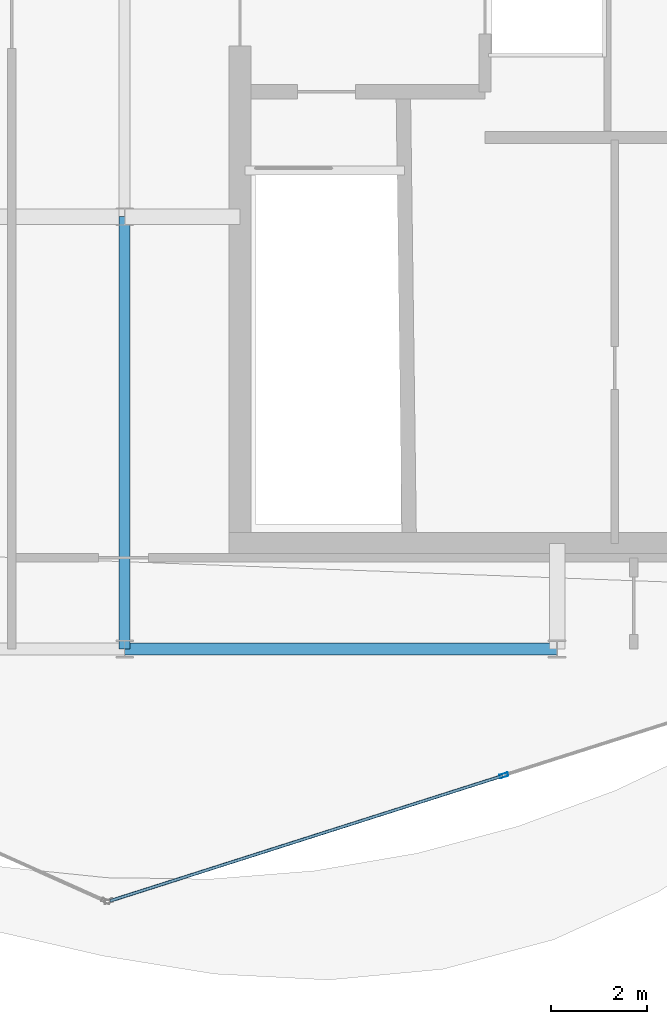
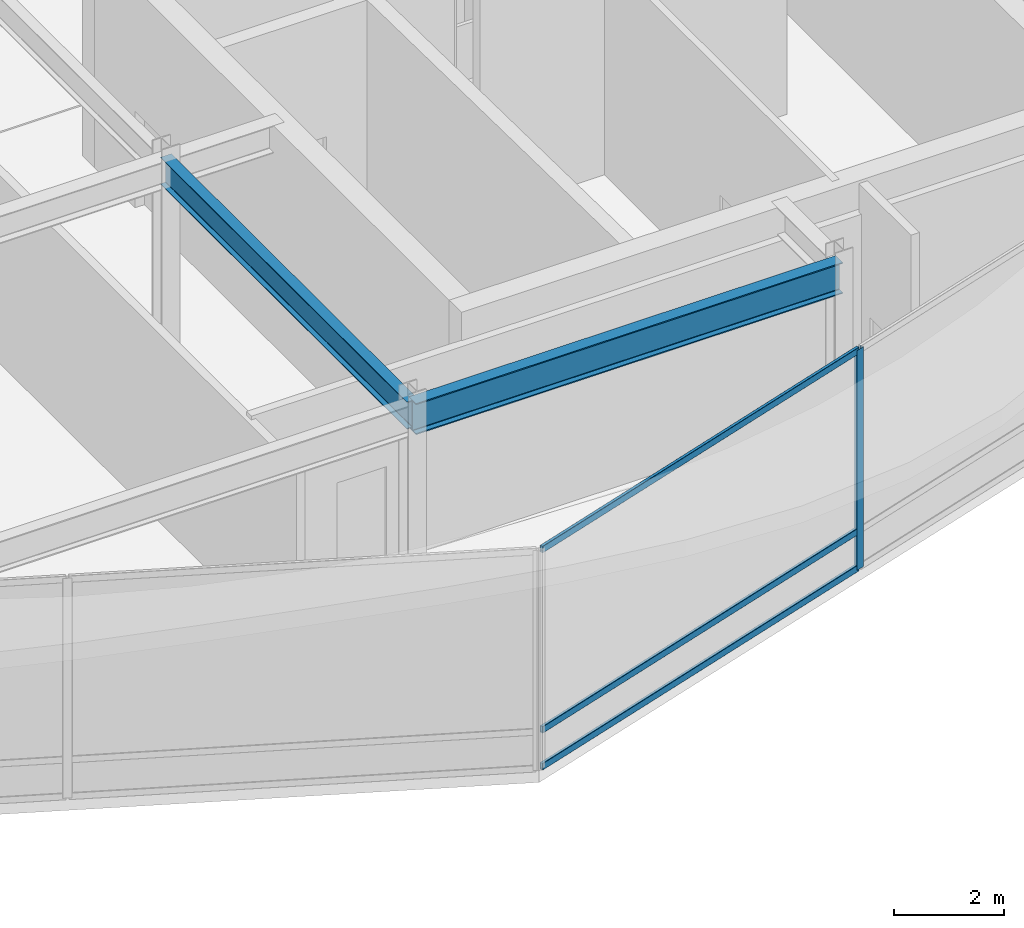
# One storey, part 4 of 19: 4 members, 2 beams, 1 element without a shape of its own.
"""IFC4 building model written with IfcOpenShell, lengths in metres."""

import ifcopenshell
import ifcopenshell.guid

model = None  # the IFC model being written
_history = None  # IfcOwnerHistory: only IFC2X3 demands one
_inside = {}  # id of a spatial element -> (the spatial element, [elements in it])
_under = {}  # id of a project, library or spatial element -> (it, [spatial elements below it])
_declared = {}  # id of a project -> (the project, [libraries it declares])
_typed = {}  # id of a type object -> (the type object, [elements of that type])
_made_of = {}  # id of a material, layer set ... -> (it, [elements and type objects made of it])


def new_model(schema):
    """Start an empty IFC model of exactly this schema.

    Asked for "IFC4X3", IfcOpenShell would pick the latest addendum, in which some entities
    have other attributes; the version numbers below select the first issue.
    IFC2X3 requires an IfcOwnerHistory on every rooted entity: one is made here for all.
    """
    global model, _history
    if schema == "IFC4X3":
        model = ifcopenshell.file(schema_version=(4, 3, 0, 0))
    else:
        model = ifcopenshell.file(schema=schema)
    _inside.clear()
    _under.clear()
    _declared.clear()
    _typed.clear()
    _made_of.clear()
    _history = None
    if model.schema == "IFC2X3":
        org = make("IfcOrganization", Name="unknown")
        user = make(
            "IfcPersonAndOrganization",
            ThePerson=make("IfcPerson", FamilyName="unknown"),
            TheOrganization=org,
        )
        app = make(
            "IfcApplication",
            ApplicationDeveloper=org,
            Version="unknown",
            ApplicationFullName="unknown",
            ApplicationIdentifier="unknown",
        )
        _history = make(
            "IfcOwnerHistory",
            OwningUser=user,
            OwningApplication=app,
            ChangeAction="ADDED",
            CreationDate=0,
        )
    return model


def make(cls, **values):
    """One entity of the class cls with the attributes given. An attribute that is None is left unset."""
    return model.create_entity(
        cls, **{name: value for name, value in values.items() if value is not None}
    )


def rooted(cls, **values):
    """An entity with a GlobalId (a new one), such as an element, a storey or a relation."""
    return make(cls, GlobalId=ifcopenshell.guid.new(), OwnerHistory=_history, **values)


def si_unit(unit_type, name, prefix=None):
    """IfcSIUnit, for example si_unit("LENGTHUNIT", "METRE", prefix="MILLI")."""
    return make("IfcSIUnit", UnitType=unit_type, Prefix=prefix, Name=name)


def assignment(units):
    """IfcUnitAssignment: the units of a project."""
    return None if units is None else make("IfcUnitAssignment", Units=units)


def point(xyz):
    """IfcCartesianPoint."""
    return None if xyz is None else make("IfcCartesianPoint", Coordinates=xyz)


def direction(xyz):
    """IfcDirection."""
    return None if xyz is None else make("IfcDirection", DirectionRatios=xyz)


def frame(location, z_axis=None, x_axis=None):
    """IfcAxis2Placement3D, a coordinate frame: its origin and axes. An axis left out is left unset."""
    return make(
        "IfcAxis2Placement3D",
        Location=point(location),
        Axis=direction(z_axis),
        RefDirection=direction(x_axis),
    )


def frame_2d(location, x_axis=None):
    """IfcAxis2Placement2D, a coordinate frame in the plane: its origin and x axis."""
    return make(
        "IfcAxis2Placement2D", Location=point(location), RefDirection=direction(x_axis)
    )


def origin():
    """The frame at (0, 0, 0) with its axes left unset."""
    return frame((0.0, 0.0, 0.0))


def origin_2d():
    """The frame at (0, 0) in the plane with its x axis left unset."""
    return frame_2d((0.0, 0.0))


def place(relative_to, where):
    """IfcLocalPlacement: puts the frame where relative to a parent placement (None: the world)."""
    return make(
        "IfcLocalPlacement", PlacementRelTo=relative_to, RelativePlacement=where
    )


def context(
    kind, dimensions, precision=None, world=None, true_north=None, identifier=None
):
    """IfcGeometricRepresentationContext, for example the 3D "Model" context."""
    return make(
        "IfcGeometricRepresentationContext",
        ContextIdentifier=identifier,
        ContextType=kind,
        CoordinateSpaceDimension=dimensions,
        Precision=precision,
        WorldCoordinateSystem=world,
        TrueNorth=true_north,
    )


def subcontext(parent, identifier, kind, view, scale=None):
    """IfcGeometricRepresentationSubContext, for example "Body" below "Model"."""
    return make(
        "IfcGeometricRepresentationSubContext",
        ContextIdentifier=identifier,
        ContextType=kind,
        ParentContext=parent,
        TargetScale=scale,
        TargetView=view,
    )


def project(units=None, contexts=None):
    """IfcProject with its units and contexts."""
    return rooted(
        "IfcProject",
        Name="project",
        RepresentationContexts=contexts,
        UnitsInContext=assignment(units),
    )


def spatial(cls, under=None, at=None, **own):
    """A site, building, storey or space (cls), placed at a placement, below another one or the project."""
    s = rooted(cls, ObjectPlacement=at, **own)
    if under is not None:
        _under.setdefault(under.id(), (under, []))[1].append(s)
    return s


def profile(cls, at=None, kind="AREA", **sizes):
    """A parametric profile (cls). Its sizes go by their IFC names, for example OverallWidth=200.0."""
    return make(cls, ProfileType=kind, Position=at, **sizes)


def hollow_rectangle(**sizes):
    """IfcRectangleHollowProfileDef."""
    return profile("IfcRectangleHollowProfileDef", **sizes)


def i_section(**sizes):
    """IfcIShapeProfileDef."""
    return profile("IfcIShapeProfileDef", **sizes)


def extrude(swept, where, along, depth):
    """IfcExtrudedAreaSolid: the profile swept, set in the frame where, extruded along a direction by depth."""
    return make(
        "IfcExtrudedAreaSolid",
        SweptArea=swept,
        Position=where,
        ExtrudedDirection=direction(along),
        Depth=depth,
    )


def shape(context_of_items, identifier, shape_type, items):
    """IfcShapeRepresentation: the items that make up one representation, for example the "Body"."""
    return make(
        "IfcShapeRepresentation",
        ContextOfItems=context_of_items,
        RepresentationIdentifier=identifier,
        RepresentationType=shape_type,
        Items=items,
    )


def material(Name=None, Category=None):
    """IfcMaterial."""
    return make("IfcMaterial", Name=Name, Category=Category)


def layer(
    of_material, thickness, ventilated=None, Name=None, Category=None, Priority=None
):
    """IfcMaterialLayer: one layer of a wall or slab, of a material (None: an air gap)."""
    return make(
        "IfcMaterialLayer",
        Material=of_material,
        LayerThickness=thickness,
        IsVentilated=ventilated,
        Name=Name,
        Category=Category,
        Priority=Priority,
    )


def layer_set(layers, Name=None):
    """IfcMaterialLayerSet."""
    return make("IfcMaterialLayerSet", MaterialLayers=layers, LayerSetName=Name)


def material_profile(
    of_material, cross_section, Name=None, Category=None, Priority=None
):
    """IfcMaterialProfile: a cross section and its material."""
    return make(
        "IfcMaterialProfile",
        Name=Name,
        Material=of_material,
        Profile=cross_section,
        Priority=Priority,
        Category=Category,
    )


def profile_set(profiles, Name=None, composite=None):
    """IfcMaterialProfileSet."""
    return make(
        "IfcMaterialProfileSet",
        Name=Name,
        MaterialProfiles=profiles,
        CompositeProfile=composite,
    )


def made_of(thing, what):
    """Note that an element or type object is made of a material, layer set ...; save() writes the relation."""
    if what is not None:
        _made_of.setdefault(what.id(), (what, []))[1].append(thing)
    return thing


def type_object(cls, material=None, **own):
    """A type object (cls), such as IfcWallType, which elements share."""
    return made_of(rooted(cls, **own), material)


def element(
    cls,
    number,
    at=None,
    inside=None,
    cuts=None,
    type_object=None,
    material=None,
    context=None,
    identifier="Body",
    shape_type=None,
    held_by="IfcProductDefinitionShape",
    body=None,
    shapes=None,
    **own,
):
    """One element of the class cls, such as IfcWall. Its Tag is "e" and its number.

    at: its placement. inside: the storey or other place that contains it. cuts: it is an
    opening in that element (IfcRelVoidsElement). A single representation is given by context,
    identifier, shape_type and body (its items); several are given by shapes. held_by: the class
    of the entity that holds the representations. save() writes the other relations.
    """
    e = rooted(cls, Tag="e%d" % number, ObjectPlacement=at, **own)
    if body is not None:
        shapes = [shape(context, identifier, shape_type, body)]
    if shapes is not None:
        e.Representation = make(held_by, Representations=shapes)
    if inside is not None:
        _inside.setdefault(inside.id(), (inside, []))[1].append(e)
    if cuts is not None:
        rooted(
            "IfcRelVoidsElement", RelatingBuildingElement=cuts, RelatedOpeningElement=e
        )
    if type_object is not None:
        _typed.setdefault(type_object.id(), (type_object, []))[1].append(e)
    return made_of(e, material)


def aggregate(whole, parts):
    """IfcRelAggregates: a whole, such as a stair, and the parts it consists of."""
    return rooted("IfcRelAggregates", RelatingObject=whole, RelatedObjects=parts)


def save(model, path):
    """Write the relations noted so far, then the file.

    IfcRelAggregates (storeys below a building ...), IfcRelContainedInSpatialStructure (elements
    in a storey), IfcRelDefinesByType, IfcRelAssociatesMaterial and IfcRelDeclares: one each for
    every whole, place, type object, material and project.
    """
    for whole, parts in _under.values():
        aggregate(whole, parts)
    for where, things in _inside.values():
        rooted(
            "IfcRelContainedInSpatialStructure",
            RelatedElements=things,
            RelatingStructure=where,
        )
    for kind, things in _typed.values():
        rooted("IfcRelDefinesByType", RelatedObjects=things, RelatingType=kind)
    for what, things in _made_of.values():
        rooted("IfcRelAssociatesMaterial", RelatedObjects=things, RelatingMaterial=what)
    for by, libraries in _declared.values():
        rooted("IfcRelDeclares", RelatingContext=by, RelatedDefinitions=libraries)
    model.write(path)


model = new_model("IFC4")

# Units and contexts
model_context = context("Model", 3, precision=1e-05, world=origin(), true_north=direction((0.0, 1.0)))
body_context = subcontext(model_context, "Body", "Model", "MODEL_VIEW")
ifc_project = project(units=[si_unit("LENGTHUNIT", "METRE"), si_unit("AREAUNIT", "SQUARE_METRE"), si_unit("VOLUMEUNIT", "CUBIC_METRE"), si_unit("PLANEANGLEUNIT", "RADIAN"), si_unit("MASSUNIT", "GRAM", prefix="KILO")], contexts=[model_context])

# Site, building, storey
site_placement = place(None, origin())
site = spatial("IfcSite", under=ifc_project, at=site_placement, CompositionType="ELEMENT")
building_placement = place(site_placement, origin())
building = spatial("IfcBuilding", under=site, at=building_placement, Name="Solvaryn Broadcast Tower", CompositionType="ELEMENT")
storey_placement = place(building_placement, frame((0.0, 0.0, 302.60009765625)))
storey = spatial("IfcBuildingStorey", under=building, at=storey_placement, Name="L76", CompositionType="ELEMENT", Elevation=302.60009765625)

# Beams
ifc_material_1 = material(Name="Steel ASTM A992 Grade 50", Category="steel")
ifc_material_profile_1 = material_profile(ifc_material_1, i_section(OverallWidth=0.22802734375, OverallDepth=0.60791015625, WebThickness=0.01123046875, FlangeThickness=0.017333984375, FilletRadius=0.014892578125, at=origin_2d()))
ifc_profile_set_1 = profile_set([ifc_material_profile_1], Name="Steel ASTM A992 Grade 50")
beam_type_1 = type_object("IfcBeamType", Name="BM-B2-W24X76", PredefinedType="BEAM", material=ifc_profile_set_1)
beam_1_placement = place(storey_placement, frame((27.0, 9.0, 4.595947265625), z_axis=(0.0, 1.0, 0.0), x_axis=(-1.0, 0.0, 0.0)))
element("IfcBeam", 1, at=beam_1_placement, inside=storey, type_object=beam_type_1, Name="L76 Primary Beam Y (9-18 @ X=27)", PredefinedType="BEAM", context=body_context, shape_type="SweptSolid", body=[
    extrude(i_section(OverallWidth=0.22802734375, OverallDepth=0.60791015625, WebThickness=0.01123046875, FlangeThickness=0.017333984375, FilletRadius=0.014892578125, at=origin_2d()), origin(), (0.0, 0.0, 1.0), 9.0),
])
ifc_material_2 = material(Name="Steel ASTM A992 Grade 50", Category="steel")
ifc_material_profile_2 = material_profile(ifc_material_2, i_section(OverallWidth=0.256103515625, OverallDepth=0.693115234375, WebThickness=0.014404296875, FlangeThickness=0.023681640625, FilletRadius=0.01611328125, at=origin_2d()))
ifc_profile_set_2 = profile_set([ifc_material_profile_2], Name="Steel ASTM A992 Grade 50")
beam_type_2 = type_object("IfcBeamType", Name="BM-SP3-W27X114", PredefinedType="USERDEFINED", material=ifc_profile_set_2)
beam_2_placement = place(storey_placement, frame((27.0, 9.0, 4.553466796875), z_axis=(1.0, 0.0, 0.0), x_axis=(0.0, 1.0, 0.0)))
element("IfcBeam", 2, at=beam_2_placement, inside=storey, type_object=beam_type_2, Name="L76 Spandrel Beam X (27-36 @ Y=9)", ObjectType="SPANDREL", PredefinedType="USERDEFINED", context=body_context, shape_type="SweptSolid", body=[
    extrude(i_section(OverallWidth=0.256103515625, OverallDepth=0.693115234375, WebThickness=0.014404296875, FlangeThickness=0.023681640625, FilletRadius=0.01611328125, at=origin_2d()), origin(), (0.0, 0.0, 1.0), 9.0),
])

# Curtain wall, members
ifc_material_3 = material(Name="Aluminium and Terracotta Unitised Curtain Wall", Category="masonry")
ifc_layer = layer(ifc_material_3, 0.260009765625)
ifc_layer_set = layer_set([ifc_layer], Name="CW-SYS5-DAMPER")
curtain_wall_type = type_object("IfcCurtainWallType", Name="CW-SYS5-DAMPER", PredefinedType="NOTDEFINED", material=ifc_layer_set)
curtain_wall_placement = place(storey_placement, origin())
curtain_wall = element("IfcCurtainWall", 3, at=curtain_wall_placement, inside=storey, type_object=curtain_wall_type, Name="L76 Curtain Wall DR4", PredefinedType="NOTDEFINED")
ifc_material_4 = material(Name="Anodised Aluminium 6063-T6", Category="aluminium")
ifc_material_profile_3 = material_profile(ifc_material_4, hollow_rectangle(XDim=0.074951171875, YDim=0.179931640625, WallThickness=0.00390625, InnerFilletRadius=0.00390625, OuterFilletRadius=0.008056640625, at=origin_2d()))
ifc_profile_set_3 = profile_set([ifc_material_profile_3], Name="Anodised Aluminium 6063-T6")
member_type_1 = type_object("IfcMemberType", Name="CW-MUL-180", PredefinedType="MULLION", material=ifc_profile_set_3)
member_1_placement = place(storey_placement, frame((34.892578125, 6.368896484375, 0.0), z_axis=(0.0, 0.0, 1.0), x_axis=(-0.30361564569, 0.952794594701, 0.0)))
member_1 = element("IfcMember", 4, at=member_1_placement, type_object=member_type_1, Name="CWS5 mullion 2", PredefinedType="MULLION", context=body_context, shape_type="SweptSolid", body=[
    extrude(hollow_rectangle(XDim=0.074951171875, YDim=0.179931640625, WallThickness=0.00390625, InnerFilletRadius=0.00390625, OuterFilletRadius=0.008056640625, at=origin_2d()), origin(), (0.0, 0.0, 1.0), 4.89990234375),
])
ifc_material_5 = material(Name="Anodised Aluminium 6063-T6", Category="aluminium")
ifc_material_profile_4 = material_profile(ifc_material_5, hollow_rectangle(XDim=0.06494140625, YDim=0.14990234375, WallThickness=0.00390625, InnerFilletRadius=0.00390625, OuterFilletRadius=0.008056640625, at=origin_2d()))
ifc_profile_set_4 = profile_set([ifc_material_profile_4], Name="Anodised Aluminium 6063-T6")
member_type_2 = type_object("IfcMemberType", Name="CW-TRN-150", PredefinedType="USERDEFINED", material=ifc_profile_set_4)
member_2_placement = place(storey_placement, frame((26.693115234375, 3.756103515625, 0.02978515625), z_axis=(0.952793333402, 0.303619603822, 0.0), x_axis=(-0.303619603822, 0.952793333402, 0.0)))
member_2 = element("IfcMember", 5, at=member_2_placement, type_object=member_type_2, Name="CWS5 transom 1.1", ObjectType="TRANSOM", PredefinedType="USERDEFINED", context=body_context, shape_type="SweptSolid", body=[
    extrude(hollow_rectangle(XDim=0.06494140625, YDim=0.14990234375, WallThickness=0.00390625, InnerFilletRadius=0.00390625, OuterFilletRadius=0.008056640625, at=origin_2d()), origin(), (0.0, 0.0, 1.0), 8.57568359375),
])
member_3_placement = place(storey_placement, frame((26.693115234375, 3.756103515625, 0.849853515625), z_axis=(0.952793333402, 0.303619603822, 0.0), x_axis=(-0.303619603822, 0.952793333402, 0.0)))
member_3 = element("IfcMember", 6, at=member_3_placement, type_object=member_type_2, Name="CWS5 transom 1.2", ObjectType="TRANSOM", PredefinedType="USERDEFINED", context=body_context, shape_type="SweptSolid", body=[
    extrude(hollow_rectangle(XDim=0.06494140625, YDim=0.14990234375, WallThickness=0.00390625, InnerFilletRadius=0.00390625, OuterFilletRadius=0.008056640625, at=origin_2d()), origin(), (0.0, 0.0, 1.0), 8.57568359375),
])
member_4_placement = place(storey_placement, frame((26.693115234375, 3.756103515625, 4.869873046875), z_axis=(0.952793333402, 0.303619603822, 0.0), x_axis=(-0.303619603822, 0.952793333402, 0.0)))
member_4 = element("IfcMember", 7, at=member_4_placement, type_object=member_type_2, Name="CWS5 transom 1.3", ObjectType="TRANSOM", PredefinedType="USERDEFINED", context=body_context, shape_type="SweptSolid", body=[
    extrude(hollow_rectangle(XDim=0.06494140625, YDim=0.14990234375, WallThickness=0.00390625, InnerFilletRadius=0.00390625, OuterFilletRadius=0.008056640625, at=origin_2d()), origin(), (0.0, 0.0, 1.0), 8.57568359375),
])
aggregate(curtain_wall, [member_1, member_2, member_3, member_4])

save(model, "model.ifc")
